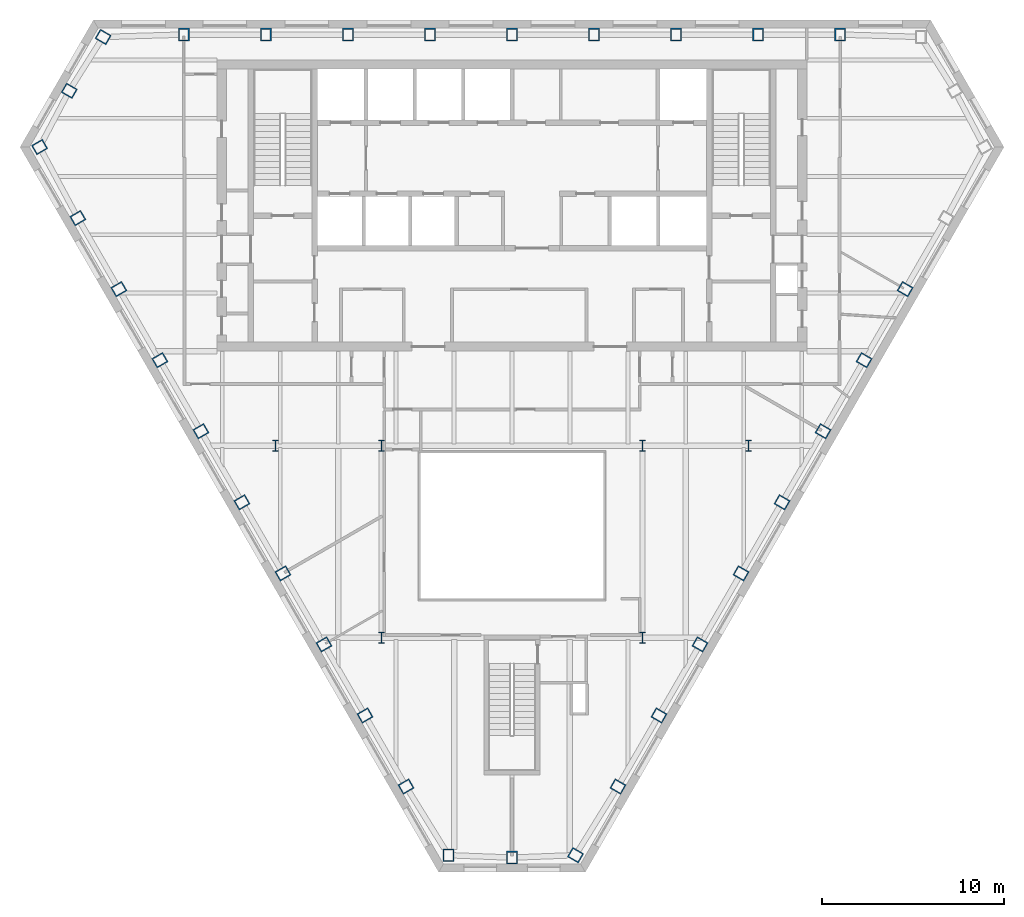
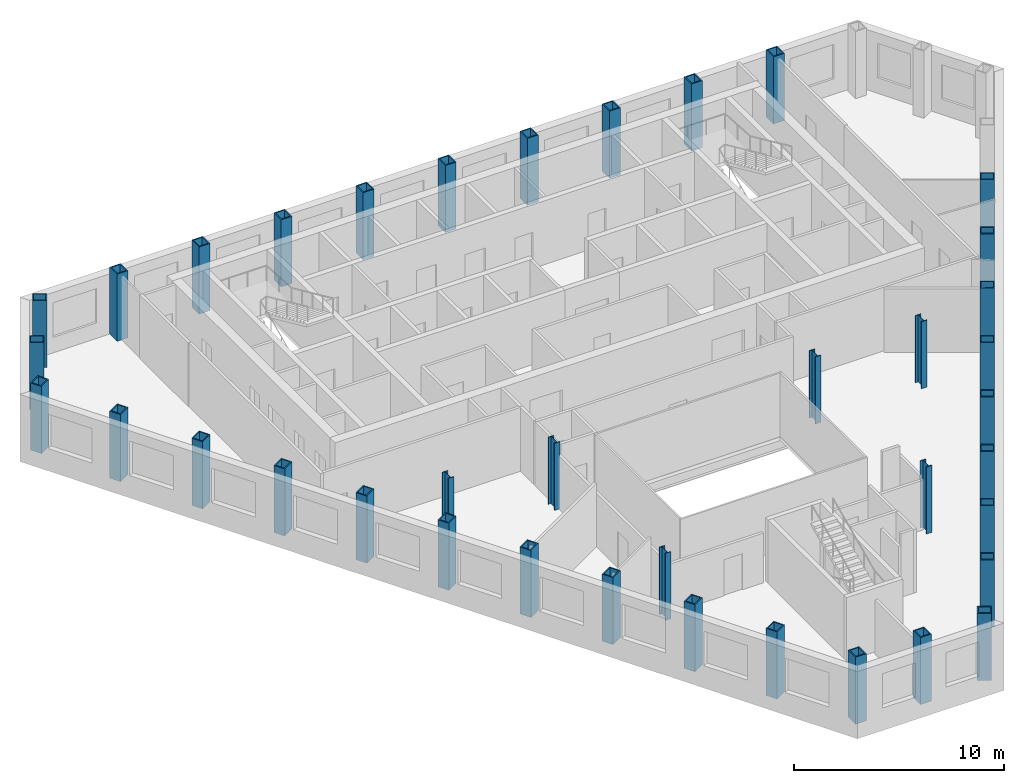
# One storey, part 1 of 11: 38 columns.
"""IFC4 building model written with IfcOpenShell, lengths in metres."""

from ifc_helpers import new_model, si_unit, direction, frame, origin, origin_2d, place, context, subcontext, project, spatial, hollow_rectangle, i_section, extrude, material, material_profile, profile_set, type_object, element, save


model = new_model("IFC4")

# Units and contexts
model_context = context("Model", 3, precision=1e-05, world=origin(), true_north=direction((0.0, 1.0)))
body_context = subcontext(model_context, "Body", "Model", "MODEL_VIEW")
ifc_project = project(units=[si_unit("LENGTHUNIT", "METRE"), si_unit("AREAUNIT", "SQUARE_METRE"), si_unit("VOLUMEUNIT", "CUBIC_METRE"), si_unit("PLANEANGLEUNIT", "RADIAN"), si_unit("MASSUNIT", "GRAM", prefix="KILO")], contexts=[model_context])

# Site, building, storey
site_placement = place(None, origin())
site = spatial("IfcSite", under=ifc_project, at=site_placement, CompositionType="ELEMENT")
building_placement = place(site_placement, origin())
building = spatial("IfcBuilding", under=site, at=building_placement, Name="Njiva Tower", CompositionType="ELEMENT")
storey_placement = place(building_placement, frame((0.0, 0.0, 178.8)))
storey = spatial("IfcBuildingStorey", under=building, at=storey_placement, Name="L39", CompositionType="ELEMENT", Elevation=178.8)

# Columns
ifc_material = material(Name="Steel S355 J2", Category="steel")
ifc_material_profile_1 = material_profile(ifc_material, i_section(OverallWidth=0.305, OverallDepth=0.62, WebThickness=0.021, FlangeThickness=0.04, at=origin_2d()), Name="HEM 600")
ifc_profile_set_1 = profile_set([ifc_material_profile_1], Name="Steel S355 J2")
column_type_1 = type_object("IfcColumnType", Name="C10 Interior column HEM 600", PredefinedType="COLUMN", material=ifc_profile_set_1)
for number, where, z_axis, x_axis, name in (
    (1, (7.17, -3.2, 0.0), (0.0, 0.0, 1.0), (1.0, 0.0, 0.0), "Interior column S13-C37"),
    (2, (-7.17, -3.2, 0.0), (0.0, 0.0, 1.0), (1.0, 0.0, 0.0), "Interior column S13-C38"),
    (3, (7.17, -13.75, 0.0), (0.0, 0.0, 1.0), (1.0, 0.0, 0.0), "Interior column S13-C39"),
    (4, (-7.17, -13.75, 0.0), (0.0, 0.0, 1.0), (1.0, 0.0, 0.0), "Interior column S13-C40"),
    (5, (13.0, -3.2, 0.0), (0.0, 0.0, 1.0), (1.0, 0.0, 0.0), "Interior column S13-C41"),
    (6, (-13.0, -3.2, 0.0), (0.0, 0.0, 1.0), (1.0, 0.0, 0.0), "Interior column S13-C42"),
):
    element("IfcColumn", number, at=place(storey_placement, frame(where, z_axis=z_axis, x_axis=x_axis)), inside=storey, type_object=column_type_1, Name=name, PredefinedType="COLUMN", context=body_context, shape_type="SweptSolid", body=[
        extrude(i_section(OverallWidth=0.305, OverallDepth=0.62, WebThickness=0.021, FlangeThickness=0.04, at=origin_2d()), origin(), (0.0, 0.0, 1.0), 3.9),
    ])
ifc_material_profile_2 = material_profile(ifc_material, hollow_rectangle(XDim=0.6, YDim=0.7, WallThickness=0.06, at=origin_2d()), Name="BOX 700x600x60")
ifc_profile_set_2 = profile_set([ifc_material_profile_2], Name="Steel S355 J2")
column_type_2 = type_object("IfcColumnType", Name="C9 Perimeter tube column BOX 700x600x60", PredefinedType="COLUMN", material=ifc_profile_set_2)
for number, where, z_axis, x_axis, name in (
    (7, (18.034, 19.4, 0.0), (0.0, 0.0, 1.0), (-1.0, 0.0, 0.0), "Perimeter tube column S13-C02"),
    (8, (13.526, 19.4, 0.0), (0.0, 0.0, 1.0), (-1.0, 0.0, 0.0), "Perimeter tube column S13-C03"),
    (9, (9.017, 19.4, 0.0), (0.0, 0.0, 1.0), (-1.0, 0.0, 0.0), "Perimeter tube column S13-C04"),
    (10, (4.509, 19.4, 0.0), (0.0, 0.0, 1.0), (-1.0, 0.0, 0.0), "Perimeter tube column S13-C05"),
    (11, (0.0, 19.4, 0.0), (0.0, 0.0, 1.0), (-1.0, 0.0, 0.0), "Perimeter tube column S13-C06"),
    (12, (-4.509, 19.4, 0.0), (0.0, 0.0, 1.0), (-1.0, 0.0, 0.0), "Perimeter tube column S13-C07"),
    (13, (-9.017, 19.4, 0.0), (0.0, 0.0, 1.0), (-1.0, 0.0, 0.0), "Perimeter tube column S13-C08"),
    (14, (-13.526, 19.4, 0.0), (0.0, 0.0, 1.0), (-1.0, 0.0, 0.0), "Perimeter tube column S13-C09"),
    (15, (-18.034, 19.4, 0.0), (0.0, 0.0, 1.0), (-1.0, 0.0, 0.0), "Perimeter tube column S13-C10"),
    (16, (-22.466, 19.267, 0.0), (0.0, 0.0, 1.0), (-0.5, -0.866025403784, 0.0), "Perimeter tube column S13-C11"),
    (17, (-24.327, 16.31, 0.0), (0.0, 0.0, 1.0), (-0.5, -0.866025403784, 0.0), "Perimeter tube column S13-C12"),
    (18, (-25.958, 13.22, 0.0), (0.0, 0.0, 1.0), (0.5, -0.866025403784, 0.0), "Perimeter tube column S13-C13"),
    (19, (-23.857, 9.315, 0.0), (0.0, 0.0, 1.0), (0.5, -0.866025403784, 0.0), "Perimeter tube column S13-C14"),
    (20, (-21.603, 5.411, 0.0), (0.0, 0.0, 1.0), (0.5, -0.866025403784, 0.0), "Perimeter tube column S13-C15"),
    (21, (-19.348, 1.506, 0.0), (0.0, 0.0, 1.0), (0.5, -0.866025403784, 0.0), "Perimeter tube column S13-C16"),
    (22, (-17.094, -2.398, 0.0), (0.0, 0.0, 1.0), (0.5, -0.866025403784, 0.0), "Perimeter tube column S13-C17"),
    (23, (-14.84, -6.303, 0.0), (0.0, 0.0, 1.0), (0.5, -0.866025403784, 0.0), "Perimeter tube column S13-C18"),
    (24, (-12.585, -10.208, 0.0), (0.0, 0.0, 1.0), (0.5, -0.866025403784, 0.0), "Perimeter tube column S13-C19"),
    (25, (-10.331, -14.112, 0.0), (0.0, 0.0, 1.0), (0.5, -0.866025403784, 0.0), "Perimeter tube column S13-C20"),
    (26, (-8.077, -18.017, 0.0), (0.0, 0.0, 1.0), (0.5, -0.866025403784, 0.0), "Perimeter tube column S13-C21"),
    (27, (-5.822, -21.921, 0.0), (0.0, 0.0, 1.0), (0.5, -0.866025403784, 0.0), "Perimeter tube column S13-C22"),
    (28, (-3.491, -25.693, 0.0), (0.0, 0.0, 1.0), (1.0, 0.0, 0.0), "Perimeter tube column S13-C23"),
    (29, (0.0, -25.826, 0.0), (0.0, 0.0, 1.0), (1.0, 0.0, 0.0), "Perimeter tube column S13-C24"),
    (30, (3.491, -25.693, 0.0), (0.0, 0.0, 1.0), (0.5, 0.866025403784, 0.0), "Perimeter tube column S13-C25"),
    (31, (5.822, -21.921, 0.0), (0.0, 0.0, 1.0), (0.5, 0.866025403784, 0.0), "Perimeter tube column S13-C26"),
    (32, (8.077, -18.017, 0.0), (0.0, 0.0, 1.0), (0.5, 0.866025403784, 0.0), "Perimeter tube column S13-C27"),
    (33, (10.331, -14.112, 0.0), (0.0, 0.0, 1.0), (0.5, 0.866025403784, 0.0), "Perimeter tube column S13-C28"),
    (34, (12.585, -10.208, 0.0), (0.0, 0.0, 1.0), (0.5, 0.866025403784, 0.0), "Perimeter tube column S13-C29"),
    (35, (14.84, -6.303, 0.0), (0.0, 0.0, 1.0), (0.5, 0.866025403784, 0.0), "Perimeter tube column S13-C30"),
    (36, (17.094, -2.398, 0.0), (0.0, 0.0, 1.0), (0.5, 0.866025403784, 0.0), "Perimeter tube column S13-C31"),
    (37, (19.348, 1.506, 0.0), (0.0, 0.0, 1.0), (0.5, 0.866025403784, 0.0), "Perimeter tube column S13-C32"),
    (38, (21.603, 5.411, 0.0), (0.0, 0.0, 1.0), (0.5, 0.866025403784, 0.0), "Perimeter tube column S13-C33"),
):
    element("IfcColumn", number, at=place(storey_placement, frame(where, z_axis=z_axis, x_axis=x_axis)), inside=storey, type_object=column_type_2, Name=name, PredefinedType="COLUMN", context=body_context, shape_type="SweptSolid", body=[
        extrude(hollow_rectangle(XDim=0.6, YDim=0.7, WallThickness=0.06, at=origin_2d()), origin(), (0.0, 0.0, 1.0), 3.9),
    ])

save(model, "model.ifc")
